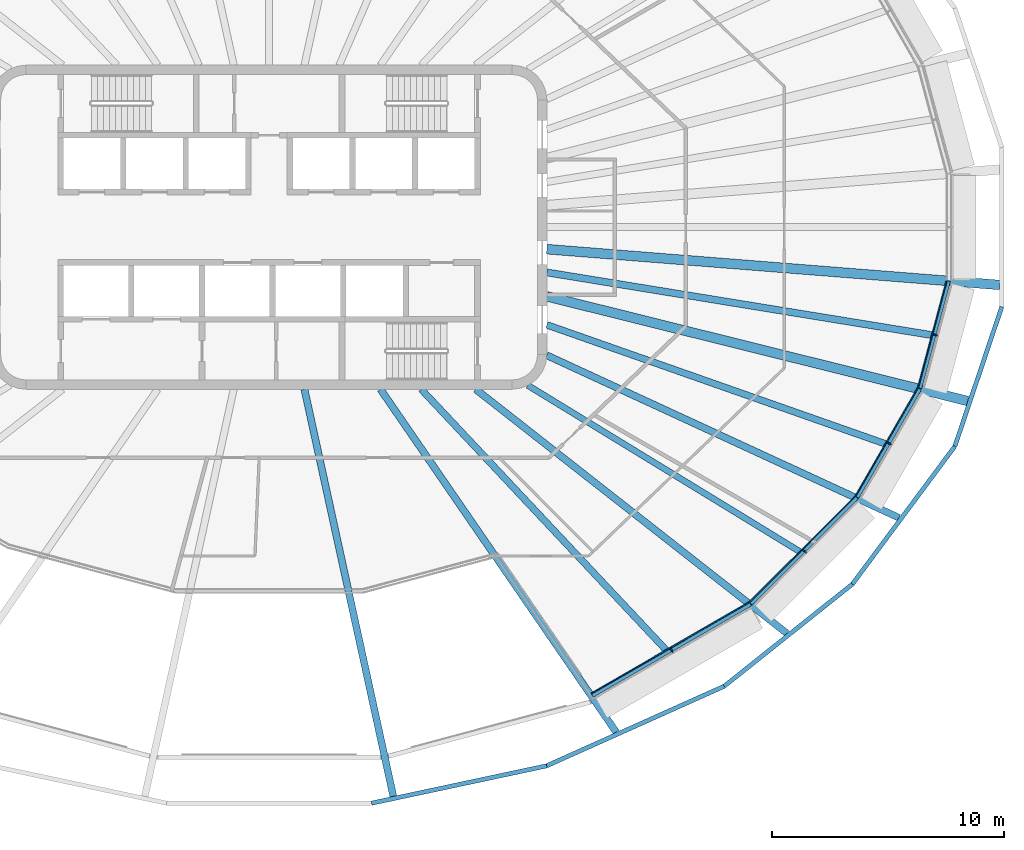
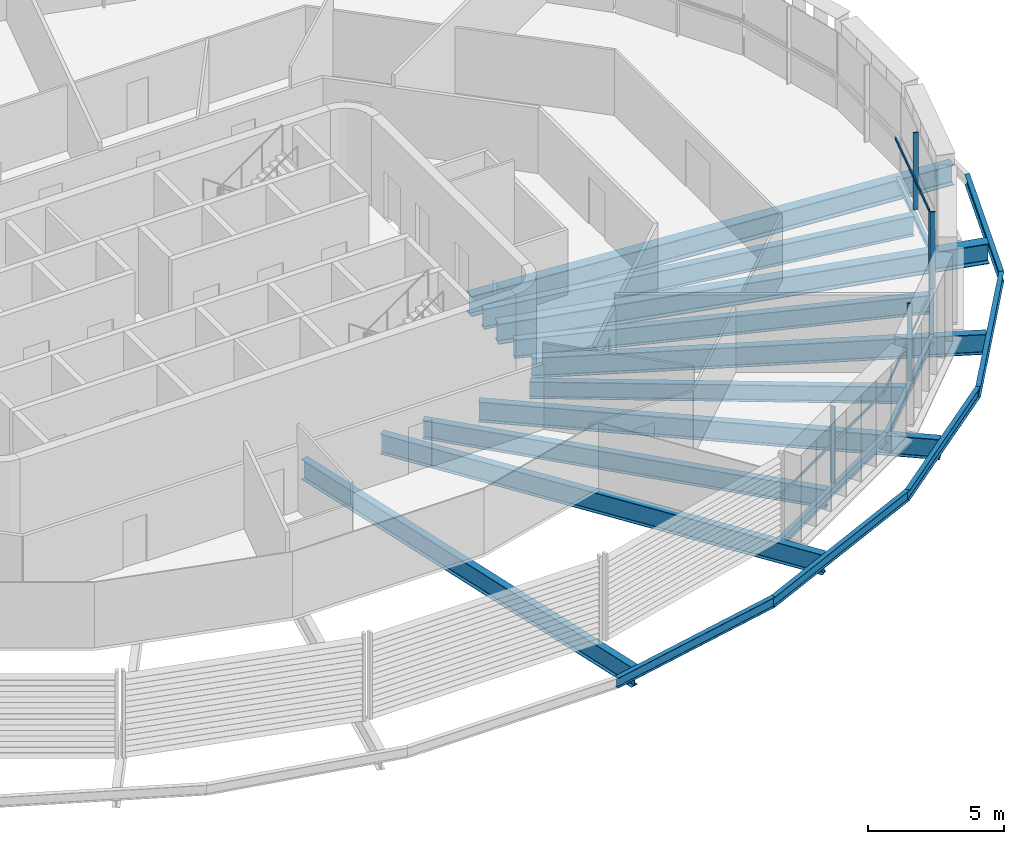
# One storey, part 4 of 19: 19 beams, 8 members, 4 elements without a shape of their own.
"""IFC4 building model written with IfcOpenShell, lengths in metres."""

import ifcopenshell
import ifcopenshell.guid

model = None  # the IFC model being written
_history = None  # IfcOwnerHistory: only IFC2X3 demands one
_inside = {}  # id of a spatial element -> (the spatial element, [elements in it])
_under = {}  # id of a project, library or spatial element -> (it, [spatial elements below it])
_declared = {}  # id of a project -> (the project, [libraries it declares])
_typed = {}  # id of a type object -> (the type object, [elements of that type])
_made_of = {}  # id of a material, layer set ... -> (it, [elements and type objects made of it])


def new_model(schema):
    """Start an empty IFC model of exactly this schema.

    Asked for "IFC4X3", IfcOpenShell would pick the latest addendum, in which some entities
    have other attributes; the version numbers below select the first issue.
    IFC2X3 requires an IfcOwnerHistory on every rooted entity: one is made here for all.
    """
    global model, _history
    if schema == "IFC4X3":
        model = ifcopenshell.file(schema_version=(4, 3, 0, 0))
    else:
        model = ifcopenshell.file(schema=schema)
    _inside.clear()
    _under.clear()
    _declared.clear()
    _typed.clear()
    _made_of.clear()
    _history = None
    if model.schema == "IFC2X3":
        org = make("IfcOrganization", Name="unknown")
        user = make(
            "IfcPersonAndOrganization",
            ThePerson=make("IfcPerson", FamilyName="unknown"),
            TheOrganization=org,
        )
        app = make(
            "IfcApplication",
            ApplicationDeveloper=org,
            Version="unknown",
            ApplicationFullName="unknown",
            ApplicationIdentifier="unknown",
        )
        _history = make(
            "IfcOwnerHistory",
            OwningUser=user,
            OwningApplication=app,
            ChangeAction="ADDED",
            CreationDate=0,
        )
    return model


def make(cls, **values):
    """One entity of the class cls with the attributes given. An attribute that is None is left unset."""
    return model.create_entity(
        cls, **{name: value for name, value in values.items() if value is not None}
    )


def rooted(cls, **values):
    """An entity with a GlobalId (a new one), such as an element, a storey or a relation."""
    return make(cls, GlobalId=ifcopenshell.guid.new(), OwnerHistory=_history, **values)


def si_unit(unit_type, name, prefix=None):
    """IfcSIUnit, for example si_unit("LENGTHUNIT", "METRE", prefix="MILLI")."""
    return make("IfcSIUnit", UnitType=unit_type, Prefix=prefix, Name=name)


def assignment(units):
    """IfcUnitAssignment: the units of a project."""
    return None if units is None else make("IfcUnitAssignment", Units=units)


def point(xyz):
    """IfcCartesianPoint."""
    return None if xyz is None else make("IfcCartesianPoint", Coordinates=xyz)


def direction(xyz):
    """IfcDirection."""
    return None if xyz is None else make("IfcDirection", DirectionRatios=xyz)


def frame(location, z_axis=None, x_axis=None):
    """IfcAxis2Placement3D, a coordinate frame: its origin and axes. An axis left out is left unset."""
    return make(
        "IfcAxis2Placement3D",
        Location=point(location),
        Axis=direction(z_axis),
        RefDirection=direction(x_axis),
    )


def frame_2d(location, x_axis=None):
    """IfcAxis2Placement2D, a coordinate frame in the plane: its origin and x axis."""
    return make(
        "IfcAxis2Placement2D", Location=point(location), RefDirection=direction(x_axis)
    )


def origin():
    """The frame at (0, 0, 0) with its axes left unset."""
    return frame((0.0, 0.0, 0.0))


def origin_2d():
    """The frame at (0, 0) in the plane with its x axis left unset."""
    return frame_2d((0.0, 0.0))


def place(relative_to, where):
    """IfcLocalPlacement: puts the frame where relative to a parent placement (None: the world)."""
    return make(
        "IfcLocalPlacement", PlacementRelTo=relative_to, RelativePlacement=where
    )


def context(
    kind, dimensions, precision=None, world=None, true_north=None, identifier=None
):
    """IfcGeometricRepresentationContext, for example the 3D "Model" context."""
    return make(
        "IfcGeometricRepresentationContext",
        ContextIdentifier=identifier,
        ContextType=kind,
        CoordinateSpaceDimension=dimensions,
        Precision=precision,
        WorldCoordinateSystem=world,
        TrueNorth=true_north,
    )


def subcontext(parent, identifier, kind, view, scale=None):
    """IfcGeometricRepresentationSubContext, for example "Body" below "Model"."""
    return make(
        "IfcGeometricRepresentationSubContext",
        ContextIdentifier=identifier,
        ContextType=kind,
        ParentContext=parent,
        TargetScale=scale,
        TargetView=view,
    )


def project(units=None, contexts=None):
    """IfcProject with its units and contexts."""
    return rooted(
        "IfcProject",
        Name="project",
        RepresentationContexts=contexts,
        UnitsInContext=assignment(units),
    )


def spatial(cls, under=None, at=None, **own):
    """A site, building, storey or space (cls), placed at a placement, below another one or the project."""
    s = rooted(cls, ObjectPlacement=at, **own)
    if under is not None:
        _under.setdefault(under.id(), (under, []))[1].append(s)
    return s


def profile(cls, at=None, kind="AREA", **sizes):
    """A parametric profile (cls). Its sizes go by their IFC names, for example OverallWidth=200.0."""
    return make(cls, ProfileType=kind, Position=at, **sizes)


def rectangle(**sizes):
    """IfcRectangleProfileDef."""
    return profile("IfcRectangleProfileDef", **sizes)


def i_section(**sizes):
    """IfcIShapeProfileDef."""
    return profile("IfcIShapeProfileDef", **sizes)


def extrude(swept, where, along, depth):
    """IfcExtrudedAreaSolid: the profile swept, set in the frame where, extruded along a direction by depth."""
    return make(
        "IfcExtrudedAreaSolid",
        SweptArea=swept,
        Position=where,
        ExtrudedDirection=direction(along),
        Depth=depth,
    )


def shape(context_of_items, identifier, shape_type, items):
    """IfcShapeRepresentation: the items that make up one representation, for example the "Body"."""
    return make(
        "IfcShapeRepresentation",
        ContextOfItems=context_of_items,
        RepresentationIdentifier=identifier,
        RepresentationType=shape_type,
        Items=items,
    )


def material(Name=None, Category=None):
    """IfcMaterial."""
    return make("IfcMaterial", Name=Name, Category=Category)


def layer(
    of_material, thickness, ventilated=None, Name=None, Category=None, Priority=None
):
    """IfcMaterialLayer: one layer of a wall or slab, of a material (None: an air gap)."""
    return make(
        "IfcMaterialLayer",
        Material=of_material,
        LayerThickness=thickness,
        IsVentilated=ventilated,
        Name=Name,
        Category=Category,
        Priority=Priority,
    )


def layer_set(layers, Name=None):
    """IfcMaterialLayerSet."""
    return make("IfcMaterialLayerSet", MaterialLayers=layers, LayerSetName=Name)


def material_profile(
    of_material, cross_section, Name=None, Category=None, Priority=None
):
    """IfcMaterialProfile: a cross section and its material."""
    return make(
        "IfcMaterialProfile",
        Name=Name,
        Material=of_material,
        Profile=cross_section,
        Priority=Priority,
        Category=Category,
    )


def profile_set(profiles, Name=None, composite=None):
    """IfcMaterialProfileSet."""
    return make(
        "IfcMaterialProfileSet",
        Name=Name,
        MaterialProfiles=profiles,
        CompositeProfile=composite,
    )


def made_of(thing, what):
    """Note that an element or type object is made of a material, layer set ...; save() writes the relation."""
    if what is not None:
        _made_of.setdefault(what.id(), (what, []))[1].append(thing)
    return thing


def type_object(cls, material=None, **own):
    """A type object (cls), such as IfcWallType, which elements share."""
    return made_of(rooted(cls, **own), material)


def element(
    cls,
    number,
    at=None,
    inside=None,
    cuts=None,
    type_object=None,
    material=None,
    context=None,
    identifier="Body",
    shape_type=None,
    held_by="IfcProductDefinitionShape",
    body=None,
    shapes=None,
    **own,
):
    """One element of the class cls, such as IfcWall. Its Tag is "e" and its number.

    at: its placement. inside: the storey or other place that contains it. cuts: it is an
    opening in that element (IfcRelVoidsElement). A single representation is given by context,
    identifier, shape_type and body (its items); several are given by shapes. held_by: the class
    of the entity that holds the representations. save() writes the other relations.
    """
    e = rooted(cls, Tag="e%d" % number, ObjectPlacement=at, **own)
    if body is not None:
        shapes = [shape(context, identifier, shape_type, body)]
    if shapes is not None:
        e.Representation = make(held_by, Representations=shapes)
    if inside is not None:
        _inside.setdefault(inside.id(), (inside, []))[1].append(e)
    if cuts is not None:
        rooted(
            "IfcRelVoidsElement", RelatingBuildingElement=cuts, RelatedOpeningElement=e
        )
    if type_object is not None:
        _typed.setdefault(type_object.id(), (type_object, []))[1].append(e)
    return made_of(e, material)


def aggregate(whole, parts):
    """IfcRelAggregates: a whole, such as a stair, and the parts it consists of."""
    return rooted("IfcRelAggregates", RelatingObject=whole, RelatedObjects=parts)


def save(model, path):
    """Write the relations noted so far, then the file.

    IfcRelAggregates (storeys below a building ...), IfcRelContainedInSpatialStructure (elements
    in a storey), IfcRelDefinesByType, IfcRelAssociatesMaterial and IfcRelDeclares: one each for
    every whole, place, type object, material and project.
    """
    for whole, parts in _under.values():
        aggregate(whole, parts)
    for where, things in _inside.values():
        rooted(
            "IfcRelContainedInSpatialStructure",
            RelatedElements=things,
            RelatingStructure=where,
        )
    for kind, things in _typed.values():
        rooted("IfcRelDefinesByType", RelatedObjects=things, RelatingType=kind)
    for what, things in _made_of.values():
        rooted("IfcRelAssociatesMaterial", RelatedObjects=things, RelatingMaterial=what)
    for by, libraries in _declared.values():
        rooted("IfcRelDeclares", RelatingContext=by, RelatedDefinitions=libraries)
    model.write(path)


model = new_model("IFC4")

# Units and contexts
model_context = context("Model", 3, precision=1e-05, world=origin(), true_north=direction((0.0, 1.0)))
body_context = subcontext(model_context, "Body", "Model", "MODEL_VIEW")
ifc_project = project(units=[si_unit("LENGTHUNIT", "METRE"), si_unit("AREAUNIT", "SQUARE_METRE"), si_unit("VOLUMEUNIT", "CUBIC_METRE"), si_unit("PLANEANGLEUNIT", "RADIAN"), si_unit("MASSUNIT", "GRAM", prefix="KILO")], contexts=[model_context])

# Site, building, storey
site_placement = place(None, origin())
site = spatial("IfcSite", under=ifc_project, at=site_placement, CompositionType="ELEMENT")
building_placement = place(site_placement, origin())
building = spatial("IfcBuilding", under=site, at=building_placement, Name="Sahrelin Media Tower", CompositionType="ELEMENT")
storey_placement = place(building_placement, frame((0.0, 0.0, 275.0)))
storey = spatial("IfcBuildingStorey", under=building, at=storey_placement, Name="L60", CompositionType="ELEMENT", Elevation=275.0)

# Beams
ifc_material_1 = material(Name="Steel S355", Category="steel")
ifc_material_profile_1 = material_profile(ifc_material_1, i_section(OverallWidth=0.14599609375, OverallDepth=0.25146484375, WebThickness=0.006103515625, FlangeThickness=0.008544921875, FilletRadius=0.007568359375, at=origin_2d()), Name="UB 254x146x31")
ifc_profile_set_1 = profile_set([ifc_material_profile_1], Name="Steel S355")
beam_type_1 = type_object("IfcBeamType", Name="Edge beam EB1", PredefinedType="BEAM", material=ifc_profile_set_1)
beam_1_placement = place(storey_placement, frame((29.360107421875, -2.327392578125, -0.275634765625), z_axis=(-0.258809906332, -0.965928274969, 0.0), x_axis=(0.965928274969, -0.258809906332, 0.0)))
element("IfcBeam", 1, at=beam_1_placement, inside=storey, type_object=beam_type_1, Name="Edge beam L60-02", PredefinedType="BEAM", context=body_context, shape_type="SweptSolid", body=[
    extrude(i_section(OverallWidth=0.14599609375, OverallDepth=0.25146484375, WebThickness=0.006103515625, FlangeThickness=0.008544921875, FilletRadius=0.007568359375, at=origin_2d()), origin(), (0.0, 0.0, 1.0), 4.7939453125),
])
ifc_material_profile_2 = material_profile(ifc_material_1, i_section(OverallWidth=0.1650390625, OverallDepth=0.303466796875, WebThickness=0.006103515625, FlangeThickness=0.01025390625, FilletRadius=0.0087890625, at=origin_2d()), Name="UB 305x165x40")
ifc_profile_set_2 = profile_set([ifc_material_profile_2], Name="Steel S355")
beam_type_2 = type_object("IfcBeamType", Name="Edge beam EB2", PredefinedType="BEAM", material=ifc_profile_set_2)
beam_2_placement = place(storey_placement, frame((28.1083984375, -6.984619140625, -0.3017578125), z_axis=(-0.499996136155, -0.866027634565, 0.0), x_axis=(0.866027634565, -0.499996136155, 0.0)))
element("IfcBeam", 2, at=beam_2_placement, inside=storey, type_object=beam_type_2, Name="Edge beam L60-03", PredefinedType="BEAM", context=body_context, shape_type="SweptSolid", body=[
    extrude(i_section(OverallWidth=0.1650390625, OverallDepth=0.303466796875, WebThickness=0.006103515625, FlangeThickness=0.01025390625, FilletRadius=0.0087890625, at=origin_2d()), origin(), (0.0, 0.0, 1.0), 5.4052734375),
])
ifc_material_profile_3 = material_profile(ifc_material_1, i_section(OverallWidth=0.17138671875, OverallDepth=0.35498046875, WebThickness=0.00732421875, FlangeThickness=0.011474609375, FilletRadius=0.01025390625, at=origin_2d()), Name="UB 356x171x51")
ifc_profile_set_3 = profile_set([ifc_material_profile_3], Name="Steel S355")
beam_type_3 = type_object("IfcBeamType", Name="Edge beam EB3", PredefinedType="BEAM", material=ifc_profile_set_3)
beam_3_placement = place(storey_placement, frame((25.38818359375, -11.688720703125, -0.327392578125), z_axis=(-0.707106781187, -0.707106781187, 0.0), x_axis=(0.707106781187, -0.707106781187, 0.0)))
element("IfcBeam", 3, at=beam_3_placement, inside=storey, type_object=beam_type_3, Name="Edge beam L60-04", PredefinedType="BEAM", context=body_context, shape_type="SweptSolid", body=[
    extrude(i_section(OverallWidth=0.17138671875, OverallDepth=0.35498046875, WebThickness=0.00732421875, FlangeThickness=0.011474609375, FilletRadius=0.01025390625, at=origin_2d()), origin(), (0.0, 0.0, 1.0), 6.46484375),
])
ifc_material_profile_4 = material_profile(ifc_material_1, i_section(OverallWidth=0.177978515625, OverallDepth=0.406494140625, WebThickness=0.0078125, FlangeThickness=0.0126953125, FilletRadius=0.01025390625, at=origin_2d()), Name="UB 406x178x60")
ifc_profile_set_4 = profile_set([ifc_material_profile_4], Name="Steel S355")
beam_type_4 = type_object("IfcBeamType", Name="Edge beam EB4", PredefinedType="BEAM", material=ifc_profile_set_4)
beam_4_placement = place(storey_placement, frame((20.794189453125, -16.27734375, -0.353271484375), z_axis=(-0.866020753932, -0.500008053694, 0.0), x_axis=(0.500008053694, -0.866020753932, 0.0)))
element("IfcBeam", 4, at=beam_4_placement, inside=storey, type_object=beam_type_4, Name="Edge beam L60-05", PredefinedType="BEAM", context=body_context, shape_type="SweptSolid", body=[
    extrude(i_section(OverallWidth=0.177978515625, OverallDepth=0.406494140625, WebThickness=0.0078125, FlangeThickness=0.0126953125, FilletRadius=0.01025390625, at=origin_2d()), origin(), (0.0, 0.0, 1.0), 7.892822265625),
])

# Curtain wall, member
ifc_material_2 = material(Name="Champagne anodised aluminium 6063-T6", Category="aluminium")
ifc_layer = layer(ifc_material_2, 0.14990234375)
ifc_layer_set = layer_set([ifc_layer], Name="Tower ribbon curtain wall")
curtain_wall_type = type_object("IfcCurtainWallType", Name="Tower ribbon curtain wall", PredefinedType="NOTDEFINED", material=ifc_layer_set)
curtain_wall_1_placement = place(storey_placement, frame((17.451416015625, -18.380615234375, 0.0), z_axis=(0.0, 0.0, 1.0), x_axis=(1.0, 0.0, 0.0)))
curtain_wall_1 = element("IfcCurtainWall", 5, at=curtain_wall_1_placement, inside=storey, type_object=curtain_wall_type, Name="L60:CW:L60-20", PredefinedType="NOTDEFINED")
ifc_material_profile_5 = material_profile(ifc_material_2, rectangle(XDim=0.06005859375, YDim=0.199951171875, at=origin_2d()), Name="Mullion 60x200")
ifc_profile_set_5 = profile_set([ifc_material_profile_5], Name="Champagne anodised aluminium 6063-T6")
member_type_1 = type_object("IfcMemberType", Name="Mullion 60x200 CW1C", PredefinedType="MULLION", material=ifc_profile_set_5)
member_1_placement = place(storey_placement, frame((17.391357421875, -18.276611328125, 0.0), z_axis=(0.0, 0.0, 1.0), x_axis=(0.866026276448, 0.4999984885, 0.0)))
member_1 = element("IfcMember", 6, at=member_1_placement, type_object=member_type_1, Name="L60:CWM:L60-20", PredefinedType="MULLION", context=body_context, shape_type="SweptSolid", body=[
    extrude(rectangle(XDim=0.06005859375, YDim=0.199951171875, at=origin_2d()), origin(), (0.0, 0.0, 1.0), 3.448486328125),
])

curtain_wall_2_placement = place(storey_placement, frame((23.208740234375, -14.080322265625, 0.0), z_axis=(0.0, 0.0, 1.0), x_axis=(1.0, 0.0, 0.0)))
curtain_wall_2 = element("IfcCurtainWall", 7, at=curtain_wall_2_placement, inside=storey, type_object=curtain_wall_type, Name="L60:CW:L60-21", PredefinedType="NOTDEFINED")
member_2_placement = place(storey_placement, frame((23.123779296875, -13.99560546875, 0.0), z_axis=(0.0, 0.0, 1.0), x_axis=(0.707106781187, 0.707106781187, 0.0)))
member_2 = element("IfcMember", 8, at=member_2_placement, type_object=member_type_1, Name="L60:CWM:L60-21", PredefinedType="MULLION", context=body_context, shape_type="SweptSolid", body=[
    extrude(rectangle(XDim=0.06005859375, YDim=0.199951171875, at=origin_2d()), origin(), (0.0, 0.0, 1.0), 3.448486328125),
])

curtain_wall_3_placement = place(storey_placement, frame((26.886962890625, -9.400146484375, 0.0), z_axis=(0.0, 0.0, 1.0), x_axis=(1.0, 0.0, 0.0)))
curtain_wall_3 = element("IfcCurtainWall", 9, at=curtain_wall_3_placement, inside=storey, type_object=curtain_wall_type, Name="L60:CW:L60-22", PredefinedType="NOTDEFINED")
member_3_placement = place(storey_placement, frame((26.783203125, -9.340087890625, 0.0), z_axis=(0.0, 0.0, 1.0), x_axis=(0.500001511499, 0.866024531118, 0.0)))
member_3 = element("IfcMember", 10, at=member_3_placement, type_object=member_type_1, Name="L60:CWM:L60-22", PredefinedType="MULLION", context=body_context, shape_type="SweptSolid", body=[
    extrude(rectangle(XDim=0.06005859375, YDim=0.199951171875, at=origin_2d()), origin(), (0.0, 0.0, 1.0), 3.448486328125),
])

curtain_wall_4_placement = place(storey_placement, frame((28.884765625, -4.681396484375, 0.0), z_axis=(0.0, 0.0, 1.0), x_axis=(1.0, 0.0, 0.0)))
curtain_wall_4 = element("IfcCurtainWall", 11, at=curtain_wall_4_placement, inside=storey, type_object=curtain_wall_type, Name="L60:CW:L60-23", PredefinedType="NOTDEFINED")
member_4_placement = place(storey_placement, frame((28.768798828125, -4.650390625, 0.0), z_axis=(0.0, 0.0, 1.0), x_axis=(0.258813987523, 0.965927181449, 0.0)))
member_4 = element("IfcMember", 12, at=member_4_placement, type_object=member_type_1, Name="L60:CWM:L60-23", PredefinedType="MULLION", context=body_context, shape_type="SweptSolid", body=[
    extrude(rectangle(XDim=0.06005859375, YDim=0.199951171875, at=origin_2d()), origin(), (0.0, 0.0, 1.0), 3.448486328125),
])

# Beams
ifc_material_profile_6 = material_profile(ifc_material_1, i_section(OverallWidth=0.30322265625, OverallDepth=0.903076171875, WebThickness=0.01513671875, FlangeThickness=0.020263671875, FilletRadius=0.01904296875, at=origin_2d()), Name="UB 914x305x201")
ifc_profile_set_6 = profile_set([ifc_material_profile_6], Name="Steel S355")
beam_type_5 = type_object("IfcBeamType", Name="Radial primary beam PB11", PredefinedType="BEAM", material=ifc_profile_set_6)
beam_5_placement = place(storey_placement, frame((1.528076171875, -7.0, -0.6015625), z_axis=(0.213278915019, -0.976991353292, 0.0), x_axis=(0.976991353292, 0.213278915019, 0.0)))
element("IfcBeam", 13, at=beam_5_placement, inside=storey, type_object=beam_type_5, Name="Radial beam L60-19", PredefinedType="BEAM", context=body_context, shape_type="SweptSolid", body=[
    extrude(i_section(OverallWidth=0.30322265625, OverallDepth=0.903076171875, WebThickness=0.01513671875, FlangeThickness=0.020263671875, FilletRadius=0.01904296875, at=origin_2d()), origin(), (0.0, 0.0, 1.0), 17.995849609375),
])
beam_6_placement = place(storey_placement, frame((4.812255859375, -7.0, -0.6015625), z_axis=(0.566497121099, -0.824063718281, 0.0), x_axis=(0.824063718281, 0.566497121099, 0.0)))
element("IfcBeam", 14, at=beam_6_placement, inside=storey, type_object=beam_type_5, Name="Radial beam L60-20", PredefinedType="BEAM", context=body_context, shape_type="SweptSolid", body=[
    extrude(i_section(OverallWidth=0.30322265625, OverallDepth=0.903076171875, WebThickness=0.01513671875, FlangeThickness=0.020263671875, FilletRadius=0.01904296875, at=origin_2d()), origin(), (0.0, 0.0, 1.0), 17.976318359375),
])
beam_7_placement = place(storey_placement, frame((8.925537109375, -7.0, -0.6015625), z_axis=(0.786867836982, -0.617121549716, 0.0), x_axis=(0.617121549716, 0.786867836982, 0.0)))
element("IfcBeam", 15, at=beam_7_placement, inside=storey, type_object=beam_type_5, Name="Radial beam L60-21", PredefinedType="BEAM", context=body_context, shape_type="SweptSolid", body=[
    extrude(i_section(OverallWidth=0.30322265625, OverallDepth=0.903076171875, WebThickness=0.01513671875, FlangeThickness=0.020263671875, FilletRadius=0.01904296875, at=origin_2d()), origin(), (0.0, 0.0, 1.0), 17.088134765625),
])
beam_8_placement = place(storey_placement, frame((11.99560546875, -5.532958984375, -0.6015625), z_axis=(0.908055324306, -0.418850245314, 0.0), x_axis=(0.418850245314, 0.908055324306, 0.0)))
element("IfcBeam", 16, at=beam_8_placement, inside=storey, type_object=beam_type_5, Name="Radial beam L60-22", PredefinedType="BEAM", context=body_context, shape_type="SweptSolid", body=[
    extrude(i_section(OverallWidth=0.30322265625, OverallDepth=0.903076171875, WebThickness=0.01513671875, FlangeThickness=0.020263671875, FilletRadius=0.01904296875, at=origin_2d()), origin(), (0.0, 0.0, 1.0), 16.75390625),
])
ifc_material_profile_7 = material_profile(ifc_material_1, i_section(OverallWidth=0.41845703125, OverallDepth=0.911865234375, WebThickness=0.019287109375, FlangeThickness=0.031982421875, FilletRadius=0.024169921875, at=origin_2d()), Name="UB 914x419x343")
ifc_profile_set_7 = profile_set([ifc_material_profile_7], Name="Steel S355")
beam_type_6 = type_object("IfcBeamType", Name="Radial primary beam PB12", PredefinedType="BEAM", material=ifc_profile_set_7)
beam_9_placement = place(storey_placement, frame((12.0, -2.985595703125, -0.60595703125), z_axis=(0.970415551073, -0.241440796545, 0.0), x_axis=(0.241440796545, 0.970415551073, 0.0)))
element("IfcBeam", 17, at=beam_9_placement, inside=storey, type_object=beam_type_6, Name="Radial beam L60-23", PredefinedType="BEAM", context=body_context, shape_type="SweptSolid", body=[
    extrude(i_section(OverallWidth=0.41845703125, OverallDepth=0.911865234375, WebThickness=0.019287109375, FlangeThickness=0.031982421875, FilletRadius=0.024169921875, at=origin_2d()), origin(), (0.0, 0.0, 1.0), 18.734130859375),
])
beam_10_placement = place(storey_placement, frame((12.0, -0.948486328125, -0.60595703125), z_axis=(0.996889791436, -0.078808271962, 0.0), x_axis=(0.078808271962, 0.996889791436, 0.0)))
element("IfcBeam", 18, at=beam_10_placement, inside=storey, type_object=beam_type_6, Name="Radial beam L60-24", PredefinedType="BEAM", context=body_context, shape_type="SweptSolid", body=[
    extrude(i_section(OverallWidth=0.41845703125, OverallDepth=0.911865234375, WebThickness=0.019287109375, FlangeThickness=0.031982421875, FilletRadius=0.024169921875, at=origin_2d()), origin(), (0.0, 0.0, 1.0), 19.615966796875),
])
ifc_material_profile_8 = material_profile(ifc_material_1, i_section(OverallWidth=0.291748046875, OverallDepth=0.8349609375, WebThickness=0.013916015625, FlangeThickness=0.018798828125, FilletRadius=0.017822265625, at=origin_2d()), Name="UB 838x292x176")
ifc_profile_set_8 = profile_set([ifc_material_profile_8], Name="Steel S355")
beam_type_7 = type_object("IfcBeamType", Name="Radial secondary beam SB10", PredefinedType="BEAM", material=ifc_profile_set_8)
beam_11_placement = place(storey_placement, frame((6.573486328125, -7.0, -0.5673828125), z_axis=(0.684553212108, -0.728962893289, 0.0), x_axis=(0.728962893289, 0.684553212108, 0.0)))
element("IfcBeam", 19, at=beam_11_placement, inside=storey, type_object=beam_type_7, Name="Secondary beam L60-16", PredefinedType="BEAM", context=body_context, shape_type="SweptSolid", body=[
    extrude(i_section(OverallWidth=0.291748046875, OverallDepth=0.8349609375, WebThickness=0.013916015625, FlangeThickness=0.018798828125, FilletRadius=0.017822265625, at=origin_2d()), origin(), (0.0, 0.0, 1.0), 15.46435546875),
])
beam_12_placement = place(storey_placement, frame((12.0, -4.218017578125, -0.5673828125), z_axis=(0.94341797598, -0.331605974914, 0.0), x_axis=(0.331605974914, 0.94341797598, 0.0)))
element("IfcBeam", 20, at=beam_12_placement, inside=storey, type_object=beam_type_7, Name="Secondary beam L60-18", PredefinedType="BEAM", context=body_context, shape_type="SweptSolid", body=[
    extrude(i_section(OverallWidth=0.291748046875, OverallDepth=0.8349609375, WebThickness=0.013916015625, FlangeThickness=0.018798828125, FilletRadius=0.017822265625, at=origin_2d()), origin(), (0.0, 0.0, 1.0), 15.517578125),
])
ifc_material_profile_9 = material_profile(ifc_material_1, i_section(OverallWidth=0.30322265625, OverallDepth=0.903076171875, WebThickness=0.01513671875, FlangeThickness=0.020263671875, FilletRadius=0.01904296875, at=origin_2d()), Name="UB 914x305x201")
ifc_profile_set_9 = profile_set([ifc_material_profile_9], Name="Steel S355")
beam_type_8 = type_object("IfcBeamType", Name="Radial secondary beam SB11", PredefinedType="BEAM", material=ifc_profile_set_9)
beam_13_placement = place(storey_placement, frame((12.0, -1.953369140625, -0.6015625), z_axis=(0.987008496952, -0.160668064481, 0.0), x_axis=(0.160668064481, 0.987008496952, 0.0)))
element("IfcBeam", 21, at=beam_13_placement, inside=storey, type_object=beam_type_8, Name="Secondary beam L60-19", PredefinedType="BEAM", context=body_context, shape_type="SweptSolid", body=[
    extrude(i_section(OverallWidth=0.30322265625, OverallDepth=0.903076171875, WebThickness=0.01513671875, FlangeThickness=0.020263671875, FilletRadius=0.01904296875, at=origin_2d()), origin(), (0.0, 0.0, 1.0), 16.87744140625),
])
ifc_material_profile_10 = material_profile(ifc_material_1, i_section(OverallWidth=0.26513671875, OverallDepth=0.75390625, WebThickness=0.0126953125, FlangeThickness=0.017578125, FilletRadius=0.0166015625, at=origin_2d()), Name="UB 762x267x147")
ifc_profile_set_10 = profile_set([ifc_material_profile_10], Name="Steel S355")
beam_type_9 = type_object("IfcBeamType", Name="Radial secondary beam SB9", PredefinedType="BEAM", material=ifc_profile_set_10)
beam_14_placement = place(storey_placement, frame((11.1748046875, -6.830078125, -0.527099609375), z_axis=(0.853241553676, -0.521515916422, 0.0), x_axis=(0.521515916422, 0.853241553676, 0.0)))
element("IfcBeam", 22, at=beam_14_placement, inside=storey, type_object=beam_type_9, Name="Secondary beam L60-17", PredefinedType="BEAM", context=body_context, shape_type="SweptSolid", body=[
    extrude(i_section(OverallWidth=0.26513671875, OverallDepth=0.75390625, WebThickness=0.0126953125, FlangeThickness=0.017578125, FilletRadius=0.0166015625, at=origin_2d()), origin(), (0.0, 0.0, 1.0), 13.78466796875),
])
ifc_material_profile_11 = material_profile(ifc_material_1, i_section(OverallWidth=0.1904296875, OverallDepth=0.45703125, WebThickness=0.009033203125, FlangeThickness=0.014404296875, FilletRadius=0.01025390625, at=origin_2d()), Name="UB 457x191x74")
ifc_profile_set_11 = profile_set([ifc_material_profile_11], Name="Steel S355")
beam_type_10 = type_object("IfcBeamType", Name="Tie chord TC5", PredefinedType="BEAM", material=ifc_profile_set_11)
beam_15_placement = place(storey_placement, frame((4.427001953125, -24.879638671875, -0.37841796875), z_axis=(0.977984505567, 0.208677518843, 0.0), x_axis=(-0.208677518843, 0.977984505567, 0.0)))
element("IfcBeam", 23, at=beam_15_placement, inside=storey, type_object=beam_type_10, Name="Tie chord L60-19", PredefinedType="BEAM", context=body_context, shape_type="SweptSolid", body=[
    extrude(i_section(OverallWidth=0.1904296875, OverallDepth=0.45703125, WebThickness=0.009033203125, FlangeThickness=0.014404296875, FilletRadius=0.01025390625, at=origin_2d()), origin(), (0.0, 0.0, 1.0), 7.734375),
])
beam_16_placement = place(storey_placement, frame((11.9912109375, -23.265625, -0.37841796875), z_axis=(0.912455094562, 0.409176857128, 0.0), x_axis=(-0.409176857128, 0.912455094562, 0.0)))
element("IfcBeam", 24, at=beam_16_placement, inside=storey, type_object=beam_type_10, Name="Tie chord L60-20", PredefinedType="BEAM", context=body_context, shape_type="SweptSolid", body=[
    extrude(i_section(OverallWidth=0.1904296875, OverallDepth=0.45703125, WebThickness=0.009033203125, FlangeThickness=0.014404296875, FilletRadius=0.01025390625, at=origin_2d()), origin(), (0.0, 0.0, 1.0), 8.4033203125),
])
beam_17_placement = place(storey_placement, frame((19.658935546875, -19.8271484375, -0.37841796875), z_axis=(0.782259913581, 0.622952187254, 0.0), x_axis=(-0.622952187254, 0.782259913581, 0.0)))
element("IfcBeam", 25, at=beam_17_placement, inside=storey, type_object=beam_type_10, Name="Tie chord L60-21", PredefinedType="BEAM", context=body_context, shape_type="SweptSolid", body=[
    extrude(i_section(OverallWidth=0.1904296875, OverallDepth=0.45703125, WebThickness=0.009033203125, FlangeThickness=0.014404296875, FilletRadius=0.01025390625, at=origin_2d()), origin(), (0.0, 0.0, 1.0), 7.07861328125),
])
beam_18_placement = place(storey_placement, frame((25.1962890625, -15.41748046875, -0.37841796875), z_axis=(0.596572928105, 0.802558871019, 0.0), x_axis=(-0.802558871019, 0.596572928105, 0.0)))
element("IfcBeam", 26, at=beam_18_placement, inside=storey, type_object=beam_type_10, Name="Tie chord L60-22", PredefinedType="BEAM", context=body_context, shape_type="SweptSolid", body=[
    extrude(i_section(OverallWidth=0.1904296875, OverallDepth=0.45703125, WebThickness=0.009033203125, FlangeThickness=0.014404296875, FilletRadius=0.01025390625, at=origin_2d()), origin(), (0.0, 0.0, 1.0), 7.420654296875),
])
beam_19_placement = place(storey_placement, frame((29.623291015625, -9.4619140625, -0.37841796875), z_axis=(0.318923237503, 0.947780548745, 0.0), x_axis=(-0.947780548745, 0.318923237503, 0.0)))
element("IfcBeam", 27, at=beam_19_placement, inside=storey, type_object=beam_type_10, Name="Tie chord L60-23", PredefinedType="BEAM", context=body_context, shape_type="SweptSolid", body=[
    extrude(i_section(OverallWidth=0.1904296875, OverallDepth=0.45703125, WebThickness=0.009033203125, FlangeThickness=0.014404296875, FilletRadius=0.01025390625, at=origin_2d()), origin(), (0.0, 0.0, 1.0), 6.355224609375),
])

# Member
ifc_material_profile_12 = material_profile(ifc_material_2, rectangle(XDim=0.050048828125, YDim=0.1201171875, at=origin_2d()), Name="Transom 50x120")
ifc_profile_set_12 = profile_set([ifc_material_profile_12], Name="Champagne anodised aluminium 6063-T6")
member_type_2 = type_object("IfcMemberType", Name="Transom 50x120 CW1C", PredefinedType="USERDEFINED", material=ifc_profile_set_12)
member_5_placement = place(storey_placement, frame((13.9248046875, -20.1337890625, 1.60009765625), z_axis=(0.866011816304, 0.500023533469, 0.0), x_axis=(-0.500023533469, 0.866011816304, 0.0)))
member_5 = element("IfcMember", 28, at=member_5_placement, type_object=member_type_2, Name="L60:CWT:L60-20", ObjectType="TRANSOM", PredefinedType="USERDEFINED", context=body_context, shape_type="SweptSolid", body=[
    extrude(rectangle(XDim=0.050048828125, YDim=0.1201171875, at=origin_2d()), origin(), (0.0, 0.0, 1.0), 7.861328125),
])

aggregate(curtain_wall_1, [member_1, member_5])

member_6_placement = place(storey_placement, frame((20.760986328125, -16.181640625, 1.60009765625), z_axis=(0.707087805841, 0.707125756023, 0.0), x_axis=(-0.707125756023, 0.707087805841, 0.0)))
member_6 = element("IfcMember", 29, at=member_6_placement, type_object=member_type_2, Name="L60:CWT:L60-21", ObjectType="TRANSOM", PredefinedType="USERDEFINED", context=body_context, shape_type="SweptSolid", body=[
    extrude(rectangle(XDim=0.050048828125, YDim=0.1201171875, at=origin_2d()), origin(), (0.0, 0.0, 1.0), 6.43310546875),
])

aggregate(curtain_wall_2, [member_2, member_6])

member_7_placement = place(storey_placement, frame((25.331298828125, -11.604736328125, 1.60009765625), z_axis=(0.49999903979, 0.866025958161, 0.0), x_axis=(-0.866025958161, 0.49999903979, 0.0)))
member_7 = element("IfcMember", 30, at=member_7_placement, type_object=member_type_2, Name="L60:CWT:L60-22", ObjectType="TRANSOM", PredefinedType="USERDEFINED", context=body_context, shape_type="SweptSolid", body=[
    extrude(rectangle(XDim=0.050048828125, YDim=0.1201171875, at=origin_2d()), origin(), (0.0, 0.0, 1.0), 5.3740234375),
])

aggregate(curtain_wall_3, [member_3, member_7])

member_8_placement = place(storey_placement, frame((28.03173828125, -6.918212890625, 1.60009765625), z_axis=(0.258820640976, 0.965925398675, 0.0), x_axis=(-0.965925398675, 0.258820640976, 0.0)))
member_8 = element("IfcMember", 31, at=member_8_placement, type_object=member_type_2, Name="L60:CWT:L60-23", ObjectType="TRANSOM", PredefinedType="USERDEFINED", context=body_context, shape_type="SweptSolid", body=[
    extrude(rectangle(XDim=0.050048828125, YDim=0.1201171875, at=origin_2d()), origin(), (0.0, 0.0, 1.0), 4.7626953125),
])

aggregate(curtain_wall_4, [member_4, member_8])

save(model, "model.ifc")
